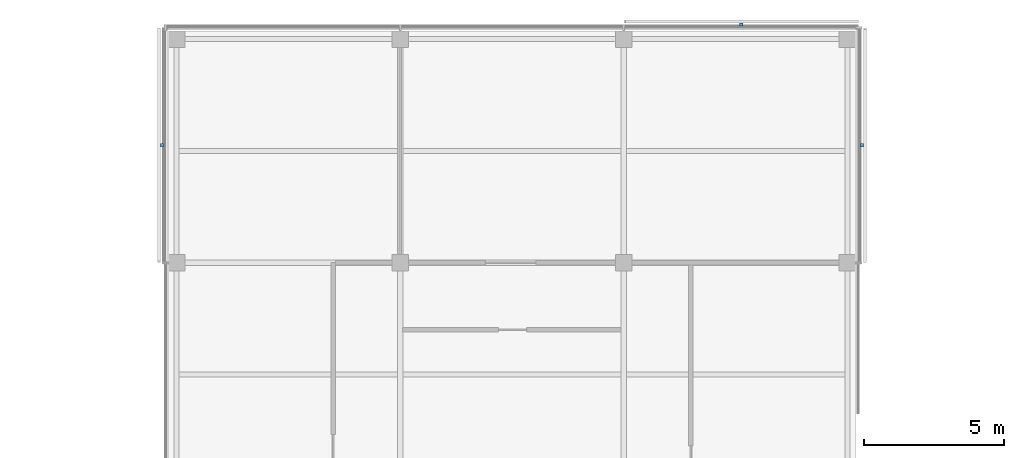
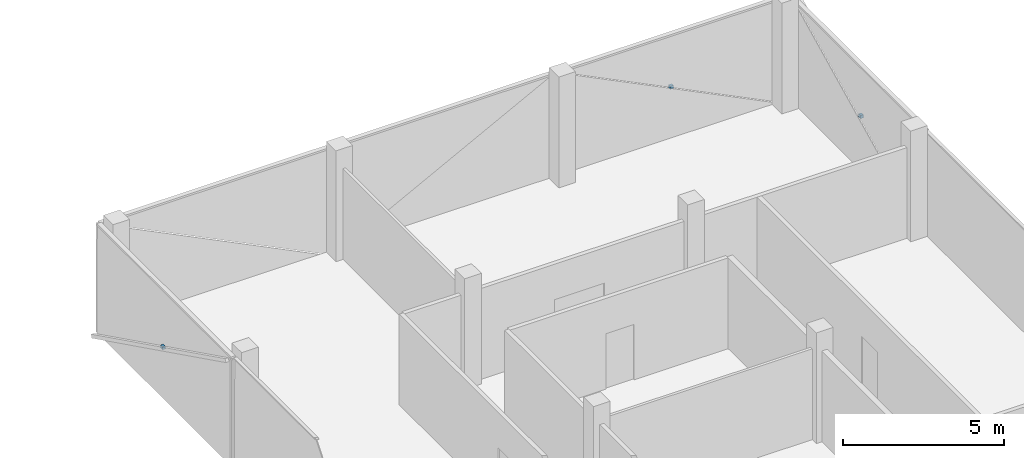
# One storey, part 14 of 15: 3 discrete accessories.
"""IFC4 building model written with IfcOpenShell, lengths in metres."""

from ifc_helpers import new_model, si_unit, direction, frame, origin, origin_2d, place, context, subcontext, project, spatial, rectangle, extrude, material, type_object, element, save


model = new_model("IFC4")

# Units and contexts
model_context = context("Model", 3, precision=1e-05, world=origin(), true_north=direction((0.0, 1.0)))
body_context = subcontext(model_context, "Body", "Model", "MODEL_VIEW")
ifc_project = project(units=[si_unit("LENGTHUNIT", "METRE"), si_unit("AREAUNIT", "SQUARE_METRE"), si_unit("VOLUMEUNIT", "CUBIC_METRE"), si_unit("PLANEANGLEUNIT", "RADIAN"), si_unit("MASSUNIT", "GRAM", prefix="KILO")], contexts=[model_context])

# Site, building, storey
site_placement = place(None, origin())
site = spatial("IfcSite", under=ifc_project, at=site_placement, CompositionType="ELEMENT")
building_placement = place(site_placement, origin())
building = spatial("IfcBuilding", under=site, at=building_placement, Name="Crosswind Convention Tower", CompositionType="ELEMENT")
storey_placement = place(building_placement, frame((0.0, 0.0, 315.5)))
storey = spatial("IfcBuildingStorey", under=building, at=storey_placement, Name="L68", CompositionType="ELEMENT", Elevation=315.5)

# Discrete accessories
ifc_material = material(Name="Stainless steel", Category="steel")
discrete_accessory_type = type_object("IfcDiscreteAccessoryType", Name="BAGUETTE BRACKET BK3", PredefinedType="BRACKET", material=ifc_material)
for number, where, z_axis, x_axis, name in (
    (1, (137.52587890625, 124.205078125, 1.704833984375), (0.0, 0.0, 1.0), (0.0, 1.0, 0.0), "BK3 baguette bracket"),
    (2, (133.205078125, 128.52587890625, 1.704833984375), (0.0, 0.0, 1.0), (-1.0, 0.0, 0.0), "BK3 baguette bracket"),
    (3, (112.47412109375, 124.205078125, 1.704833984375), (0.0, 0.0, 1.0), (0.0, -1.0, 0.0), "BK3 baguette bracket"),
):
    element("IfcDiscreteAccessory", number, at=place(storey_placement, frame(where, z_axis=z_axis, x_axis=x_axis)), inside=storey, type_object=discrete_accessory_type, Name=name, PredefinedType="BRACKET", context=body_context, shape_type="SweptSolid", body=[
        extrude(rectangle(XDim=0.1201171875, YDim=0.10009765625, at=origin_2d()), origin(), (0.0, 0.0, 1.0), 0.1201171875),
    ])

save(model, "model.ifc")
